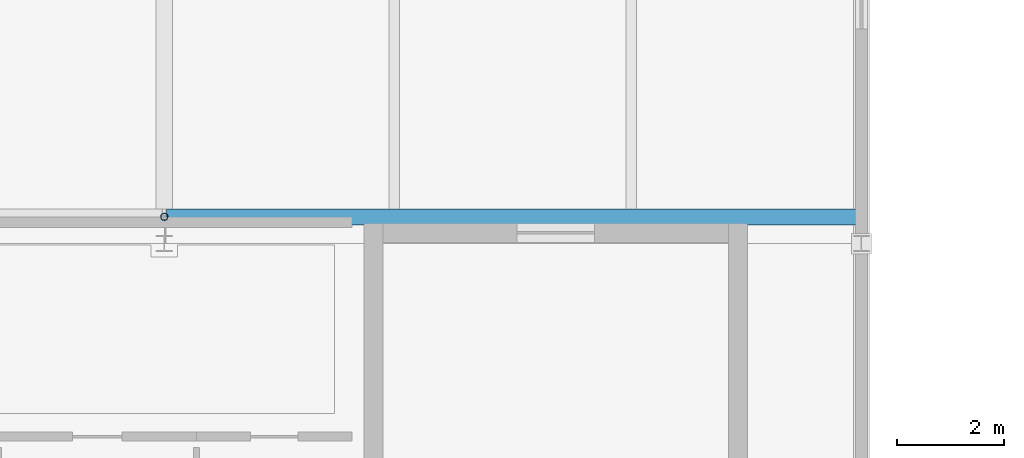
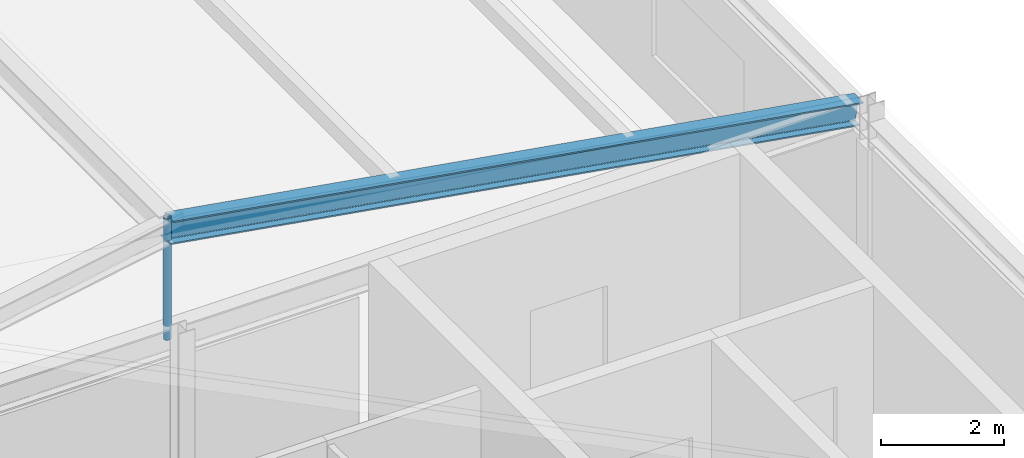
# One storey, part 21 of 63: 2 members.
"""IFC4 building model written with IfcOpenShell, lengths in metres."""

from ifc_helpers import new_model, si_unit, direction, frame, origin, origin_2d, place, context, subcontext, project, spatial, hollow_circle, i_section, extrude, material, material_profile, profile_set, type_object, element, save


model = new_model("IFC4")

# Units and contexts
model_context = context("Model", 3, precision=1e-05, world=origin(), true_north=direction((0.0, 1.0)))
body_context = subcontext(model_context, "Body", "Model", "MODEL_VIEW")
ifc_project = project(units=[si_unit("LENGTHUNIT", "METRE"), si_unit("AREAUNIT", "SQUARE_METRE"), si_unit("VOLUMEUNIT", "CUBIC_METRE"), si_unit("PLANEANGLEUNIT", "RADIAN"), si_unit("MASSUNIT", "GRAM", prefix="KILO")], contexts=[model_context])

# Site, building, storey
site_placement = place(None, origin())
site = spatial("IfcSite", under=ifc_project, at=site_placement, CompositionType="ELEMENT")
building_placement = place(site_placement, origin())
building = spatial("IfcBuilding", under=site, at=building_placement, Name="Tarnveldt Headland Concert Hall", CompositionType="ELEMENT")
storey_placement = place(building_placement, frame((0.0, 0.0, 14.39990234375)))
storey = spatial("IfcBuildingStorey", under=building, at=storey_placement, Name="L03", CompositionType="ELEMENT", Elevation=14.39990234375)

# Members
ifc_material = material(Name="Steel S355", Category="steel")
ifc_material_profile_1 = material_profile(ifc_material, i_section(OverallWidth=0.300048828125, OverallDepth=0.449951171875, WebThickness=0.013916015625, FlangeThickness=0.02587890625, FilletRadius=0.027099609375, at=origin_2d()), Name="HEB450", Category="steel")
ifc_profile_set_1 = profile_set([ifc_material_profile_1], Name="Steel S355")
member_type_1 = type_object("IfcMemberType", Name="RF-HEB450", PredefinedType="RAFTER", material=ifc_profile_set_1)
member_1_placement = place(storey_placement, frame((31.5, 93.5, 5.860107421875), z_axis=(0.986230248863, 0.0, -0.165378040341), x_axis=(0.0, 1.0, 0.0)))
element("IfcMember", 1, at=member_1_placement, inside=storey, type_object=member_type_1, Name="ROOF TRUSS Rehearsal rafter N-1E", PredefinedType="RAFTER", context=body_context, shape_type="SweptSolid", body=[
    extrude(i_section(OverallWidth=0.300048828125, OverallDepth=0.449951171875, WebThickness=0.013916015625, FlangeThickness=0.02587890625, FilletRadius=0.027099609375, at=origin_2d()), origin(), (0.0, 0.0, 1.0), 13.181396484375),
])
ifc_material_profile_2 = material_profile(ifc_material, hollow_circle(Radius=0.06982421875, WallThickness=0.010009765625, at=origin_2d()), Name="CHS 139.7x10", Category="steel")
ifc_profile_set_2 = profile_set([ifc_material_profile_2], Name="Steel S355")
member_type_2 = type_object("IfcMemberType", Name="TR-WEB140", PredefinedType="BRACE", material=ifc_profile_set_2)
member_2_placement = place(storey_placement, frame((31.5, 93.5, 3.68017578125), z_axis=(0.0, 0.0, 1.0), x_axis=(1.0, 0.0, 0.0)))
element("IfcMember", 2, at=member_2_placement, inside=storey, type_object=member_type_2, Name="KP-02 Roof truss kingpost strut N-1", PredefinedType="BRACE", context=body_context, shape_type="SweptSolid", body=[
    extrude(hollow_circle(Radius=0.06982421875, WallThickness=0.010009765625, at=origin_2d()), origin(), (0.0, 0.0, 1.0), 2.419921875),
])

save(model, "model.ifc")
